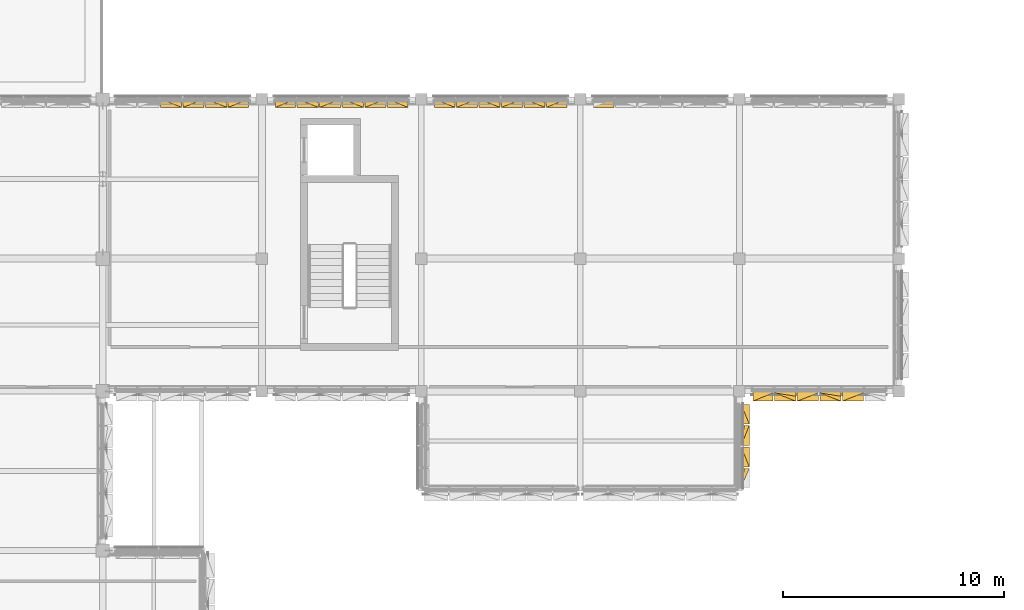
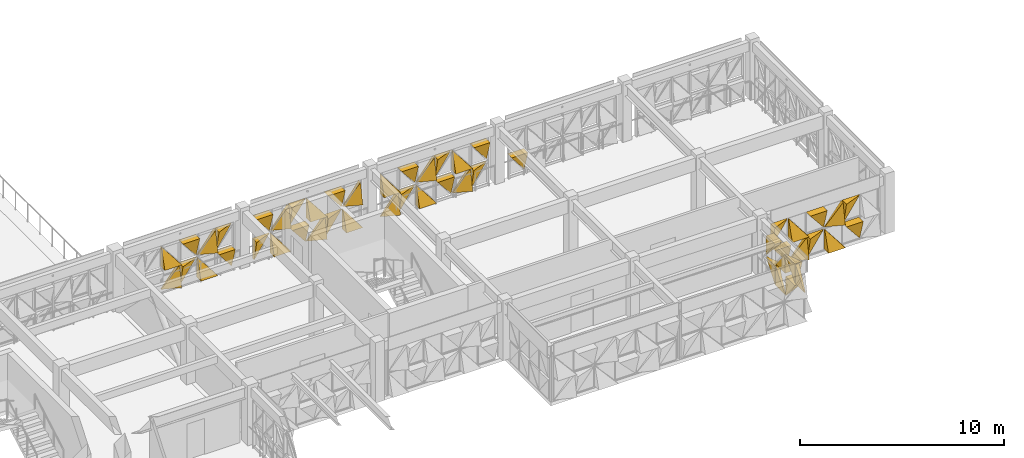
# One storey, part 93 of 99: 50 coverings.
"""IFC4 building model written with IfcOpenShell, lengths in metres."""

import ifcopenshell
import ifcopenshell.guid

model = None  # the IFC model being written
_history = None  # IfcOwnerHistory: only IFC2X3 demands one
_inside = {}  # id of a spatial element -> (the spatial element, [elements in it])
_under = {}  # id of a project, library or spatial element -> (it, [spatial elements below it])
_declared = {}  # id of a project -> (the project, [libraries it declares])
_typed = {}  # id of a type object -> (the type object, [elements of that type])
_made_of = {}  # id of a material, layer set ... -> (it, [elements and type objects made of it])


def new_model(schema):
    """Start an empty IFC model of exactly this schema.

    Asked for "IFC4X3", IfcOpenShell would pick the latest addendum, in which some entities
    have other attributes; the version numbers below select the first issue.
    IFC2X3 requires an IfcOwnerHistory on every rooted entity: one is made here for all.
    """
    global model, _history
    if schema == "IFC4X3":
        model = ifcopenshell.file(schema_version=(4, 3, 0, 0))
    else:
        model = ifcopenshell.file(schema=schema)
    _inside.clear()
    _under.clear()
    _declared.clear()
    _typed.clear()
    _made_of.clear()
    _history = None
    if model.schema == "IFC2X3":
        org = make("IfcOrganization", Name="unknown")
        user = make(
            "IfcPersonAndOrganization",
            ThePerson=make("IfcPerson", FamilyName="unknown"),
            TheOrganization=org,
        )
        app = make(
            "IfcApplication",
            ApplicationDeveloper=org,
            Version="unknown",
            ApplicationFullName="unknown",
            ApplicationIdentifier="unknown",
        )
        _history = make(
            "IfcOwnerHistory",
            OwningUser=user,
            OwningApplication=app,
            ChangeAction="ADDED",
            CreationDate=0,
        )
    return model


def make(cls, **values):
    """One entity of the class cls with the attributes given. An attribute that is None is left unset."""
    return model.create_entity(
        cls, **{name: value for name, value in values.items() if value is not None}
    )


def rooted(cls, **values):
    """An entity with a GlobalId (a new one), such as an element, a storey or a relation."""
    return make(cls, GlobalId=ifcopenshell.guid.new(), OwnerHistory=_history, **values)


def si_unit(unit_type, name, prefix=None):
    """IfcSIUnit, for example si_unit("LENGTHUNIT", "METRE", prefix="MILLI")."""
    return make("IfcSIUnit", UnitType=unit_type, Prefix=prefix, Name=name)


def assignment(units):
    """IfcUnitAssignment: the units of a project."""
    return None if units is None else make("IfcUnitAssignment", Units=units)


def point(xyz):
    """IfcCartesianPoint."""
    return None if xyz is None else make("IfcCartesianPoint", Coordinates=xyz)


def direction(xyz):
    """IfcDirection."""
    return None if xyz is None else make("IfcDirection", DirectionRatios=xyz)


def frame(location, z_axis=None, x_axis=None):
    """IfcAxis2Placement3D, a coordinate frame: its origin and axes. An axis left out is left unset."""
    return make(
        "IfcAxis2Placement3D",
        Location=point(location),
        Axis=direction(z_axis),
        RefDirection=direction(x_axis),
    )


def origin():
    """The frame at (0, 0, 0) with its axes left unset."""
    return frame((0.0, 0.0, 0.0))


def place(relative_to, where):
    """IfcLocalPlacement: puts the frame where relative to a parent placement (None: the world)."""
    return make(
        "IfcLocalPlacement", PlacementRelTo=relative_to, RelativePlacement=where
    )


def context(
    kind, dimensions, precision=None, world=None, true_north=None, identifier=None
):
    """IfcGeometricRepresentationContext, for example the 3D "Model" context."""
    return make(
        "IfcGeometricRepresentationContext",
        ContextIdentifier=identifier,
        ContextType=kind,
        CoordinateSpaceDimension=dimensions,
        Precision=precision,
        WorldCoordinateSystem=world,
        TrueNorth=true_north,
    )


def subcontext(parent, identifier, kind, view, scale=None):
    """IfcGeometricRepresentationSubContext, for example "Body" below "Model"."""
    return make(
        "IfcGeometricRepresentationSubContext",
        ContextIdentifier=identifier,
        ContextType=kind,
        ParentContext=parent,
        TargetScale=scale,
        TargetView=view,
    )


def project(units=None, contexts=None):
    """IfcProject with its units and contexts."""
    return rooted(
        "IfcProject",
        Name="project",
        RepresentationContexts=contexts,
        UnitsInContext=assignment(units),
    )


def spatial(cls, under=None, at=None, **own):
    """A site, building, storey or space (cls), placed at a placement, below another one or the project."""
    s = rooted(cls, ObjectPlacement=at, **own)
    if under is not None:
        _under.setdefault(under.id(), (under, []))[1].append(s)
    return s


def point_list(points):
    """IfcCartesianPointList2D or 3D."""
    cls = (
        "IfcCartesianPointList2D" if len(points[0]) == 2 else "IfcCartesianPointList3D"
    )
    return make(cls, CoordList=points)


def polygons(points, faces, closed=None, point_numbers=None):
    """IfcPolygonalFaceSet: a face is its outer loop, then its inner loops; points numbered from 1."""
    made = []
    for loops in faces:
        if len(loops) == 1:
            made.append(make("IfcIndexedPolygonalFace", CoordIndex=loops[0]))
        else:
            made.append(
                make(
                    "IfcIndexedPolygonalFaceWithVoids",
                    CoordIndex=loops[0],
                    InnerCoordIndices=loops[1:],
                )
            )
    return make(
        "IfcPolygonalFaceSet",
        Coordinates=point_list(points),
        Closed=closed,
        Faces=made,
        PnIndex=point_numbers,
    )


def shape(context_of_items, identifier, shape_type, items):
    """IfcShapeRepresentation: the items that make up one representation, for example the "Body"."""
    return make(
        "IfcShapeRepresentation",
        ContextOfItems=context_of_items,
        RepresentationIdentifier=identifier,
        RepresentationType=shape_type,
        Items=items,
    )


def material(Name=None, Category=None):
    """IfcMaterial."""
    return make("IfcMaterial", Name=Name, Category=Category)


def layer(
    of_material, thickness, ventilated=None, Name=None, Category=None, Priority=None
):
    """IfcMaterialLayer: one layer of a wall or slab, of a material (None: an air gap)."""
    return make(
        "IfcMaterialLayer",
        Material=of_material,
        LayerThickness=thickness,
        IsVentilated=ventilated,
        Name=Name,
        Category=Category,
        Priority=Priority,
    )


def layer_set(layers, Name=None):
    """IfcMaterialLayerSet."""
    return make("IfcMaterialLayerSet", MaterialLayers=layers, LayerSetName=Name)


def made_of(thing, what):
    """Note that an element or type object is made of a material, layer set ...; save() writes the relation."""
    if what is not None:
        _made_of.setdefault(what.id(), (what, []))[1].append(thing)
    return thing


def type_object(cls, material=None, **own):
    """A type object (cls), such as IfcWallType, which elements share."""
    return made_of(rooted(cls, **own), material)


def element(
    cls,
    number,
    at=None,
    inside=None,
    cuts=None,
    type_object=None,
    material=None,
    context=None,
    identifier="Body",
    shape_type=None,
    held_by="IfcProductDefinitionShape",
    body=None,
    shapes=None,
    **own,
):
    """One element of the class cls, such as IfcWall. Its Tag is "e" and its number.

    at: its placement. inside: the storey or other place that contains it. cuts: it is an
    opening in that element (IfcRelVoidsElement). A single representation is given by context,
    identifier, shape_type and body (its items); several are given by shapes. held_by: the class
    of the entity that holds the representations. save() writes the other relations.
    """
    e = rooted(cls, Tag="e%d" % number, ObjectPlacement=at, **own)
    if body is not None:
        shapes = [shape(context, identifier, shape_type, body)]
    if shapes is not None:
        e.Representation = make(held_by, Representations=shapes)
    if inside is not None:
        _inside.setdefault(inside.id(), (inside, []))[1].append(e)
    if cuts is not None:
        rooted(
            "IfcRelVoidsElement", RelatingBuildingElement=cuts, RelatedOpeningElement=e
        )
    if type_object is not None:
        _typed.setdefault(type_object.id(), (type_object, []))[1].append(e)
    return made_of(e, material)


def aggregate(whole, parts):
    """IfcRelAggregates: a whole, such as a stair, and the parts it consists of."""
    return rooted("IfcRelAggregates", RelatingObject=whole, RelatedObjects=parts)


def save(model, path):
    """Write the relations noted so far, then the file.

    IfcRelAggregates (storeys below a building ...), IfcRelContainedInSpatialStructure (elements
    in a storey), IfcRelDefinesByType, IfcRelAssociatesMaterial and IfcRelDeclares: one each for
    every whole, place, type object, material and project.
    """
    for whole, parts in _under.values():
        aggregate(whole, parts)
    for where, things in _inside.values():
        rooted(
            "IfcRelContainedInSpatialStructure",
            RelatedElements=things,
            RelatingStructure=where,
        )
    for kind, things in _typed.values():
        rooted("IfcRelDefinesByType", RelatedObjects=things, RelatingType=kind)
    for what, things in _made_of.values():
        rooted("IfcRelAssociatesMaterial", RelatedObjects=things, RelatingMaterial=what)
    for by, libraries in _declared.values():
        rooted("IfcRelDeclares", RelatingContext=by, RelatedDefinitions=libraries)
    model.write(path)


model = new_model("IFC4")

# Units and contexts
model_context = context("Model", 3, precision=1e-05, world=origin(), true_north=direction((0.0, 1.0)))
body_context = subcontext(model_context, "Body", "Model", "MODEL_VIEW")
ifc_project = project(units=[si_unit("LENGTHUNIT", "METRE"), si_unit("AREAUNIT", "SQUARE_METRE"), si_unit("VOLUMEUNIT", "CUBIC_METRE"), si_unit("PLANEANGLEUNIT", "RADIAN"), si_unit("MASSUNIT", "GRAM", prefix="KILO")], contexts=[model_context])

# Site, building, storey
site_placement = place(None, origin())
site = spatial("IfcSite", under=ifc_project, at=site_placement, CompositionType="ELEMENT")
building_placement = place(site_placement, origin())
building = spatial("IfcBuilding", under=site, at=building_placement, Name="Alvorim Cloister Faculty of Sciences", CompositionType="ELEMENT")
storey_placement = place(building_placement, frame((0.0, 0.0, 12.14990234375)))
storey = spatial("IfcBuildingStorey", under=building, at=storey_placement, Name="L03", CompositionType="ELEMENT", Elevation=12.14990234375)

# Coverings
ifc_material = material(Name="Perforated Bronze Alloy Sheet", Category="metal")
ifc_layer = layer(ifc_material, 0.0380859375)
ifc_layer_set = layer_set([ifc_layer], Name="Perforated Bronze Alloy Sheet")
covering_type = type_object("IfcCoveringType", Name="COV-TRI-BRZ", PredefinedType="CLADDING", material=ifc_layer_set)
covering_1_placement = place(storey_placement, frame((31.41259765625, 56.445068359375, 0.14013671875), z_axis=(0.0, 0.0, 1.0), x_axis=(1.0, 0.0, 0.0)))
element("IfcCovering", 1, at=covering_1_placement, inside=storey, type_object=covering_type, Name="Diagonal Solid Metal Triangle TRI-BR", PredefinedType="CLADDING", context=body_context, shape_type="Tessellation", body=[
    polygons([(0.002, 0.0260009765625, 0.0), (0.955078125, 0.0260009765625, 0.0), (0.955078125, 0.0260009765625, 1.21284375), (0.002, -0.03, 0.0), (0.955078125, -0.4, 0.0), (0.955078125, -0.18000000000000002, 1.21284375)], [[[1, 3, 2]], [[4, 5, 6]], [[1, 2, 5, 4]], [[2, 3, 6, 5]], [[3, 1, 4, 6]]], closed=True),
])
covering_2_placement = place(storey_placement, frame((31.41259765625, 56.445068359375, 1.4951171875), z_axis=(0.0, 0.0, 1.0), x_axis=(1.0, 0.0, 0.0)))
element("IfcCovering", 2, at=covering_2_placement, inside=storey, type_object=covering_type, Name="Diagonal Solid Metal Triangle TRI-BL", PredefinedType="CLADDING", context=body_context, shape_type="Tessellation", body=[
    polygons([(0.0, 0.0260009765625, 0.0), (0.953078125, 0.0260009765625, 0.0), (0.0, 0.0260009765625, 1.213087890625), (0.0, -0.4, 0.0), (0.953078125, -0.4, 0.0), (0.0, -0.03, 1.213087890625)], [[[1, 3, 2]], [[4, 5, 6]], [[1, 2, 5, 4]], [[2, 3, 6, 5]], [[3, 1, 4, 6]]], closed=True),
])
covering_3_placement = place(storey_placement, frame((32.4326171875, 56.445068359375, 0.14013671875), z_axis=(0.0, 0.0, 1.0), x_axis=(1.0, 0.0, 0.0)))
element("IfcCovering", 3, at=covering_3_placement, inside=storey, type_object=covering_type, Name="Diagonal Solid Metal Triangle TRI-TL", PredefinedType="CLADDING", context=body_context, shape_type="Tessellation", body=[
    polygons([(0.953078125, 0.0260009765625, 1.21484375), (0.0, 0.0260009765625, 1.21484375), (0.0, 0.0260009765625, 0.002), (0.953078125, -0.03, 1.21484375), (0.0, -0.4, 1.21484375), (0.0, -0.13999999999999999, 0.002)], [[[1, 3, 2]], [[4, 5, 6]], [[1, 2, 5, 4]], [[2, 3, 6, 5]], [[3, 1, 4, 6]]], closed=True),
])
covering_4_placement = place(storey_placement, frame((32.4326171875, 56.445068359375, 1.4951171875), z_axis=(0.0, 0.0, 1.0), x_axis=(1.0, 0.0, 0.0)))
element("IfcCovering", 4, at=covering_4_placement, inside=storey, type_object=covering_type, Name="Diagonal Solid Metal Triangle TRI-TR", PredefinedType="CLADDING", context=body_context, shape_type="Tessellation", body=[
    polygons([(0.955078125, 0.0260009765625, 0.002), (0.955078125, 0.0260009765625, 1.215087890625), (0.002, 0.0260009765625, 1.215087890625), (0.955078125, -0.03, 0.002), (0.955078125, -0.4, 1.215087890625), (0.002, -0.4, 1.215087890625)], [[[1, 3, 2]], [[4, 5, 6]], [[1, 2, 5, 4]], [[2, 3, 6, 5]], [[3, 1, 4, 6]]], closed=True),
])
covering_5_placement = place(storey_placement, frame((33.452392578125, 56.445068359375, 0.14013671875), z_axis=(0.0, 0.0, 1.0), x_axis=(1.0, 0.0, 0.0)))
element("IfcCovering", 5, at=covering_5_placement, inside=storey, type_object=covering_type, Name="Diagonal Solid Metal Triangle TRI-BL", PredefinedType="CLADDING", context=body_context, shape_type="Tessellation", body=[
    polygons([(0.0, 0.0260009765625, 0.0), (0.953078125, 0.0260009765625, 0.0), (0.0, 0.0260009765625, 1.21284375), (0.0, -0.4, 0.0), (0.953078125, -0.4, 0.0), (0.0, -0.03, 1.21284375)], [[[1, 3, 2]], [[4, 5, 6]], [[1, 2, 5, 4]], [[2, 3, 6, 5]], [[3, 1, 4, 6]]], closed=True),
])
covering_6_placement = place(storey_placement, frame((33.452392578125, 56.445068359375, 1.4951171875), z_axis=(0.0, 0.0, 1.0), x_axis=(1.0, 0.0, 0.0)))
element("IfcCovering", 6, at=covering_6_placement, inside=storey, type_object=covering_type, Name="Diagonal Solid Metal Triangle TRI-BR", PredefinedType="CLADDING", context=body_context, shape_type="Tessellation", body=[
    polygons([(0.002, 0.0260009765625, 0.0), (0.955078125, 0.0260009765625, 0.0), (0.955078125, 0.0260009765625, 1.213087890625), (0.002, -0.03, 0.0), (0.955078125, -0.4, 0.0), (0.955078125, -0.18000000000000002, 1.213087890625)], [[[1, 3, 2]], [[4, 5, 6]], [[1, 2, 5, 4]], [[2, 3, 6, 5]], [[3, 1, 4, 6]]], closed=True),
])
covering_7_placement = place(storey_placement, frame((34.472412109375, 56.445068359375, 0.14013671875), z_axis=(0.0, 0.0, 1.0), x_axis=(1.0, 0.0, 0.0)))
element("IfcCovering", 7, at=covering_7_placement, inside=storey, type_object=covering_type, Name="Diagonal Solid Metal Triangle TRI-TR", PredefinedType="CLADDING", context=body_context, shape_type="Tessellation", body=[
    polygons([(0.922607421875, 0.0260009765625, 0.002), (0.922607421875, 0.0260009765625, 1.21484375), (0.002, 0.0260009765625, 1.21484375), (0.922607421875, -0.03, 0.002), (0.922607421875, -0.4, 1.21484375), (0.002, -0.4, 1.21484375)], [[[1, 3, 2]], [[4, 5, 6]], [[1, 2, 5, 4]], [[2, 3, 6, 5]], [[3, 1, 4, 6]]], closed=True),
])
covering_8_placement = place(storey_placement, frame((34.472412109375, 56.445068359375, 1.4951171875), z_axis=(0.0, 0.0, 1.0), x_axis=(1.0, 0.0, 0.0)))
element("IfcCovering", 8, at=covering_8_placement, inside=storey, type_object=covering_type, Name="Diagonal Solid Metal Triangle TRI-TL", PredefinedType="CLADDING", context=body_context, shape_type="Tessellation", body=[
    polygons([(0.920607421875, 0.0260009765625, 1.215087890625), (0.0, 0.0260009765625, 1.215087890625), (0.0, 0.0260009765625, 0.002), (0.920607421875, -0.03, 1.215087890625), (0.0, -0.4, 1.215087890625), (0.0, -0.13999999999999999, 0.002)], [[[1, 3, 2]], [[4, 5, 6]], [[1, 2, 5, 4]], [[2, 3, 6, 5]], [[3, 1, 4, 6]]], closed=True),
])
covering_9_placement = place(storey_placement, frame((36.60498046875, 56.445068359375, 0.14013671875), z_axis=(0.0, 0.0, 1.0), x_axis=(1.0, 0.0, 0.0)))
element("IfcCovering", 9, at=covering_9_placement, inside=storey, type_object=covering_type, Name="Diagonal Solid Metal Triangle TRI-TL", PredefinedType="CLADDING", context=body_context, shape_type="Tessellation", body=[
    polygons([(0.920607421875, 0.0260009765625, 1.21484375), (0.0, 0.0260009765625, 1.21484375), (0.0, 0.0260009765625, 0.002), (0.920607421875, -0.03, 1.21484375), (0.0, -0.4, 1.21484375), (0.0, -0.13999999999999999, 0.002)], [[[1, 3, 2]], [[4, 5, 6]], [[1, 2, 5, 4]], [[2, 3, 6, 5]], [[3, 1, 4, 6]]], closed=True),
])
covering_10_placement = place(storey_placement, frame((36.60498046875, 56.445068359375, 1.4951171875), z_axis=(0.0, 0.0, 1.0), x_axis=(1.0, 0.0, 0.0)))
element("IfcCovering", 10, at=covering_10_placement, inside=storey, type_object=covering_type, Name="Diagonal Solid Metal Triangle TRI-TR", PredefinedType="CLADDING", context=body_context, shape_type="Tessellation", body=[
    polygons([(0.922607421875, 0.0260009765625, 0.002), (0.922607421875, 0.0260009765625, 1.215087890625), (0.002, 0.0260009765625, 1.215087890625), (0.922607421875, -0.03, 0.002), (0.922607421875, -0.4, 1.215087890625), (0.002, -0.4, 1.215087890625)], [[[1, 3, 2]], [[4, 5, 6]], [[1, 2, 5, 4]], [[2, 3, 6, 5]], [[3, 1, 4, 6]]], closed=True),
])
covering_11_placement = place(storey_placement, frame((37.592529296875, 56.445068359375, 0.14013671875), z_axis=(0.0, 0.0, 1.0), x_axis=(1.0, 0.0, 0.0)))
element("IfcCovering", 11, at=covering_11_placement, inside=storey, type_object=covering_type, Name="Diagonal Solid Metal Triangle TRI-BL", PredefinedType="CLADDING", context=body_context, shape_type="Tessellation", body=[
    polygons([(0.0, 0.0260009765625, 0.0), (0.953078125, 0.0260009765625, 0.0), (0.0, 0.0260009765625, 1.21284375), (0.0, -0.4, 0.0), (0.953078125, -0.4, 0.0), (0.0, -0.03, 1.21284375)], [[[1, 3, 2]], [[4, 5, 6]], [[1, 2, 5, 4]], [[2, 3, 6, 5]], [[3, 1, 4, 6]]], closed=True),
])
covering_12_placement = place(storey_placement, frame((37.592529296875, 56.445068359375, 1.4951171875), z_axis=(0.0, 0.0, 1.0), x_axis=(1.0, 0.0, 0.0)))
element("IfcCovering", 12, at=covering_12_placement, inside=storey, type_object=covering_type, Name="Diagonal Solid Metal Triangle TRI-BR", PredefinedType="CLADDING", context=body_context, shape_type="Tessellation", body=[
    polygons([(0.002, 0.0260009765625, 0.0), (0.955078125, 0.0260009765625, 0.0), (0.955078125, 0.0260009765625, 1.213087890625), (0.002, -0.03, 0.0), (0.955078125, -0.4, 0.0), (0.955078125, -0.18000000000000002, 1.213087890625)], [[[1, 3, 2]], [[4, 5, 6]], [[1, 2, 5, 4]], [[2, 3, 6, 5]], [[3, 1, 4, 6]]], closed=True),
])
covering_13_placement = place(storey_placement, frame((38.612548828125, 56.445068359375, 0.14013671875), z_axis=(0.0, 0.0, 1.0), x_axis=(1.0, 0.0, 0.0)))
element("IfcCovering", 13, at=covering_13_placement, inside=storey, type_object=covering_type, Name="Diagonal Solid Metal Triangle TRI-TR", PredefinedType="CLADDING", context=body_context, shape_type="Tessellation", body=[
    polygons([(0.955078125, 0.0260009765625, 0.002), (0.955078125, 0.0260009765625, 1.21484375), (0.002, 0.0260009765625, 1.21484375), (0.955078125, -0.03, 0.002), (0.955078125, -0.4, 1.21484375), (0.002, -0.4, 1.21484375)], [[[1, 3, 2]], [[4, 5, 6]], [[1, 2, 5, 4]], [[2, 3, 6, 5]], [[3, 1, 4, 6]]], closed=True),
])
covering_14_placement = place(storey_placement, frame((38.612548828125, 56.445068359375, 1.4951171875), z_axis=(0.0, 0.0, 1.0), x_axis=(1.0, 0.0, 0.0)))
element("IfcCovering", 14, at=covering_14_placement, inside=storey, type_object=covering_type, Name="Diagonal Solid Metal Triangle TRI-TL", PredefinedType="CLADDING", context=body_context, shape_type="Tessellation", body=[
    polygons([(0.953078125, 0.0260009765625, 1.215087890625), (0.0, 0.0260009765625, 1.215087890625), (0.0, 0.0260009765625, 0.002), (0.953078125, -0.03, 1.215087890625), (0.0, -0.4, 1.215087890625), (0.0, -0.13999999999999999, 0.002)], [[[1, 3, 2]], [[4, 5, 6]], [[1, 2, 5, 4]], [[2, 3, 6, 5]], [[3, 1, 4, 6]]], closed=True),
])
covering_15_placement = place(storey_placement, frame((39.632568359375, 56.445068359375, 0.14013671875), z_axis=(0.0, 0.0, 1.0), x_axis=(1.0, 0.0, 0.0)))
element("IfcCovering", 15, at=covering_15_placement, inside=storey, type_object=covering_type, Name="Diagonal Solid Metal Triangle TRI-BR", PredefinedType="CLADDING", context=body_context, shape_type="Tessellation", body=[
    polygons([(0.002, 0.0260009765625, 0.0), (0.955078125, 0.0260009765625, 0.0), (0.955078125, 0.0260009765625, 1.21284375), (0.002, -0.03, 0.0), (0.955078125, -0.4, 0.0), (0.955078125, -0.18000000000000002, 1.21284375)], [[[1, 3, 2]], [[4, 5, 6]], [[1, 2, 5, 4]], [[2, 3, 6, 5]], [[3, 1, 4, 6]]], closed=True),
])
covering_16_placement = place(storey_placement, frame((39.632568359375, 56.445068359375, 1.4951171875), z_axis=(0.0, 0.0, 1.0), x_axis=(1.0, 0.0, 0.0)))
element("IfcCovering", 16, at=covering_16_placement, inside=storey, type_object=covering_type, Name="Diagonal Solid Metal Triangle TRI-BL", PredefinedType="CLADDING", context=body_context, shape_type="Tessellation", body=[
    polygons([(0.0, 0.0260009765625, 0.0), (0.953078125, 0.0260009765625, 0.0), (0.0, 0.0260009765625, 1.213087890625), (0.0, -0.4, 0.0), (0.953078125, -0.4, 0.0), (0.0, -0.03, 1.213087890625)], [[[1, 3, 2]], [[4, 5, 6]], [[1, 2, 5, 4]], [[2, 3, 6, 5]], [[3, 1, 4, 6]]], closed=True),
])
covering_17_placement = place(storey_placement, frame((40.652587890625, 56.445068359375, 0.14013671875), z_axis=(0.0, 0.0, 1.0), x_axis=(1.0, 0.0, 0.0)))
element("IfcCovering", 17, at=covering_17_placement, inside=storey, type_object=covering_type, Name="Diagonal Solid Metal Triangle TRI-TL", PredefinedType="CLADDING", context=body_context, shape_type="Tessellation", body=[
    polygons([(0.953078125, 0.0260009765625, 1.21484375), (0.0, 0.0260009765625, 1.21484375), (0.0, 0.0260009765625, 0.002), (0.953078125, -0.03, 1.21484375), (0.0, -0.4, 1.21484375), (0.0, -0.13999999999999999, 0.002)], [[[1, 3, 2]], [[4, 5, 6]], [[1, 2, 5, 4]], [[2, 3, 6, 5]], [[3, 1, 4, 6]]], closed=True),
])
covering_18_placement = place(storey_placement, frame((40.652587890625, 56.445068359375, 1.4951171875), z_axis=(0.0, 0.0, 1.0), x_axis=(1.0, 0.0, 0.0)))
element("IfcCovering", 18, at=covering_18_placement, inside=storey, type_object=covering_type, Name="Diagonal Solid Metal Triangle TRI-TR", PredefinedType="CLADDING", context=body_context, shape_type="Tessellation", body=[
    polygons([(0.955078125, 0.0260009765625, 0.002), (0.955078125, 0.0260009765625, 1.215087890625), (0.002, 0.0260009765625, 1.215087890625), (0.955078125, -0.03, 0.002), (0.955078125, -0.4, 1.215087890625), (0.002, -0.4, 1.215087890625)], [[[1, 3, 2]], [[4, 5, 6]], [[1, 2, 5, 4]], [[2, 3, 6, 5]], [[3, 1, 4, 6]]], closed=True),
])
covering_19_placement = place(storey_placement, frame((41.672607421875, 56.445068359375, 0.14013671875), z_axis=(0.0, 0.0, 1.0), x_axis=(1.0, 0.0, 0.0)))
element("IfcCovering", 19, at=covering_19_placement, inside=storey, type_object=covering_type, Name="Diagonal Solid Metal Triangle TRI-BL", PredefinedType="CLADDING", context=body_context, shape_type="Tessellation", body=[
    polygons([(0.0, 0.0260009765625, 0.0), (0.920607421875, 0.0260009765625, 0.0), (0.0, 0.0260009765625, 1.21284375), (0.0, -0.4, 0.0), (0.920607421875, -0.4, 0.0), (0.0, -0.03, 1.21284375)], [[[1, 3, 2]], [[4, 5, 6]], [[1, 2, 5, 4]], [[2, 3, 6, 5]], [[3, 1, 4, 6]]], closed=True),
])
covering_20_placement = place(storey_placement, frame((41.672607421875, 56.445068359375, 1.4951171875), z_axis=(0.0, 0.0, 1.0), x_axis=(1.0, 0.0, 0.0)))
element("IfcCovering", 20, at=covering_20_placement, inside=storey, type_object=covering_type, Name="Diagonal Solid Metal Triangle TRI-BR", PredefinedType="CLADDING", context=body_context, shape_type="Tessellation", body=[
    polygons([(0.002, 0.0260009765625, 0.0), (0.922607421875, 0.0260009765625, 0.0), (0.922607421875, 0.0260009765625, 1.213087890625), (0.002, -0.03, 0.0), (0.922607421875, -0.4, 0.0), (0.922607421875, -0.18000000000000002, 1.213087890625)], [[[1, 3, 2]], [[4, 5, 6]], [[1, 2, 5, 4]], [[2, 3, 6, 5]], [[3, 1, 4, 6]]], closed=True),
])
covering_21_placement = place(storey_placement, frame((43.804931640625, 56.445068359375, 0.14013671875), z_axis=(0.0, 0.0, 1.0), x_axis=(1.0, 0.0, 0.0)))
element("IfcCovering", 21, at=covering_21_placement, inside=storey, type_object=covering_type, Name="Diagonal Solid Metal Triangle TRI-BR", PredefinedType="CLADDING", context=body_context, shape_type="Tessellation", body=[
    polygons([(0.002, 0.0260009765625, 0.0), (0.922607421875, 0.0260009765625, 0.0), (0.922607421875, 0.0260009765625, 1.21284375), (0.002, -0.03, 0.0), (0.922607421875, -0.4, 0.0), (0.922607421875, -0.18000000000000002, 1.21284375)], [[[1, 3, 2]], [[4, 5, 6]], [[1, 2, 5, 4]], [[2, 3, 6, 5]], [[3, 1, 4, 6]]], closed=True),
])
covering_22_placement = place(storey_placement, frame((43.804931640625, 56.445068359375, 1.4951171875), z_axis=(0.0, 0.0, 1.0), x_axis=(1.0, 0.0, 0.0)))
element("IfcCovering", 22, at=covering_22_placement, inside=storey, type_object=covering_type, Name="Diagonal Solid Metal Triangle TRI-BL", PredefinedType="CLADDING", context=body_context, shape_type="Tessellation", body=[
    polygons([(0.0, 0.0260009765625, 0.0), (0.920607421875, 0.0260009765625, 0.0), (0.0, 0.0260009765625, 1.213087890625), (0.0, -0.4, 0.0), (0.920607421875, -0.4, 0.0), (0.0, -0.03, 1.213087890625)], [[[1, 3, 2]], [[4, 5, 6]], [[1, 2, 5, 4]], [[2, 3, 6, 5]], [[3, 1, 4, 6]]], closed=True),
])
covering_23_placement = place(storey_placement, frame((44.79248046875, 56.445068359375, 0.14013671875), z_axis=(0.0, 0.0, 1.0), x_axis=(1.0, 0.0, 0.0)))
element("IfcCovering", 23, at=covering_23_placement, inside=storey, type_object=covering_type, Name="Diagonal Solid Metal Triangle TRI-TL", PredefinedType="CLADDING", context=body_context, shape_type="Tessellation", body=[
    polygons([(0.953078125, 0.0260009765625, 1.21484375), (0.0, 0.0260009765625, 1.21484375), (0.0, 0.0260009765625, 0.002), (0.953078125, -0.03, 1.21484375), (0.0, -0.4, 1.21484375), (0.0, -0.13999999999999999, 0.002)], [[[1, 3, 2]], [[4, 5, 6]], [[1, 2, 5, 4]], [[2, 3, 6, 5]], [[3, 1, 4, 6]]], closed=True),
])
covering_24_placement = place(storey_placement, frame((44.79248046875, 56.445068359375, 1.4951171875), z_axis=(0.0, 0.0, 1.0), x_axis=(1.0, 0.0, 0.0)))
element("IfcCovering", 24, at=covering_24_placement, inside=storey, type_object=covering_type, Name="Diagonal Solid Metal Triangle TRI-TR", PredefinedType="CLADDING", context=body_context, shape_type="Tessellation", body=[
    polygons([(0.955078125, 0.0260009765625, 0.002), (0.955078125, 0.0260009765625, 1.215087890625), (0.002, 0.0260009765625, 1.215087890625), (0.955078125, -0.03, 0.002), (0.955078125, -0.4, 1.215087890625), (0.002, -0.4, 1.215087890625)], [[[1, 3, 2]], [[4, 5, 6]], [[1, 2, 5, 4]], [[2, 3, 6, 5]], [[3, 1, 4, 6]]], closed=True),
])
covering_25_placement = place(storey_placement, frame((45.8125, 56.445068359375, 0.14013671875), z_axis=(0.0, 0.0, 1.0), x_axis=(1.0, 0.0, 0.0)))
element("IfcCovering", 25, at=covering_25_placement, inside=storey, type_object=covering_type, Name="Diagonal Solid Metal Triangle TRI-BL", PredefinedType="CLADDING", context=body_context, shape_type="Tessellation", body=[
    polygons([(0.0, 0.0260009765625, 0.0), (0.953078125, 0.0260009765625, 0.0), (0.0, 0.0260009765625, 1.21284375), (0.0, -0.4, 0.0), (0.953078125, -0.4, 0.0), (0.0, -0.03, 1.21284375)], [[[1, 3, 2]], [[4, 5, 6]], [[1, 2, 5, 4]], [[2, 3, 6, 5]], [[3, 1, 4, 6]]], closed=True),
])
covering_26_placement = place(storey_placement, frame((45.8125, 56.445068359375, 1.4951171875), z_axis=(0.0, 0.0, 1.0), x_axis=(1.0, 0.0, 0.0)))
element("IfcCovering", 26, at=covering_26_placement, inside=storey, type_object=covering_type, Name="Diagonal Solid Metal Triangle TRI-BR", PredefinedType="CLADDING", context=body_context, shape_type="Tessellation", body=[
    polygons([(0.002, 0.0260009765625, 0.0), (0.955078125, 0.0260009765625, 0.0), (0.955078125, 0.0260009765625, 1.213087890625), (0.002, -0.03, 0.0), (0.955078125, -0.4, 0.0), (0.955078125, -0.18000000000000002, 1.213087890625)], [[[1, 3, 2]], [[4, 5, 6]], [[1, 2, 5, 4]], [[2, 3, 6, 5]], [[3, 1, 4, 6]]], closed=True),
])
covering_27_placement = place(storey_placement, frame((46.83251953125, 56.445068359375, 0.14013671875), z_axis=(0.0, 0.0, 1.0), x_axis=(1.0, 0.0, 0.0)))
element("IfcCovering", 27, at=covering_27_placement, inside=storey, type_object=covering_type, Name="Diagonal Solid Metal Triangle TRI-TR", PredefinedType="CLADDING", context=body_context, shape_type="Tessellation", body=[
    polygons([(0.955078125, 0.0260009765625, 0.002), (0.955078125, 0.0260009765625, 1.21484375), (0.002, 0.0260009765625, 1.21484375), (0.955078125, -0.03, 0.002), (0.955078125, -0.4, 1.21484375), (0.002, -0.4, 1.21484375)], [[[1, 3, 2]], [[4, 5, 6]], [[1, 2, 5, 4]], [[2, 3, 6, 5]], [[3, 1, 4, 6]]], closed=True),
])
covering_28_placement = place(storey_placement, frame((46.83251953125, 56.445068359375, 1.4951171875), z_axis=(0.0, 0.0, 1.0), x_axis=(1.0, 0.0, 0.0)))
element("IfcCovering", 28, at=covering_28_placement, inside=storey, type_object=covering_type, Name="Diagonal Solid Metal Triangle TRI-TL", PredefinedType="CLADDING", context=body_context, shape_type="Tessellation", body=[
    polygons([(0.953078125, 0.0260009765625, 1.215087890625), (0.0, 0.0260009765625, 1.215087890625), (0.0, 0.0260009765625, 0.002), (0.953078125, -0.03, 1.215087890625), (0.0, -0.4, 1.215087890625), (0.0, -0.13999999999999999, 0.002)], [[[1, 3, 2]], [[4, 5, 6]], [[1, 2, 5, 4]], [[2, 3, 6, 5]], [[3, 1, 4, 6]]], closed=True),
])
covering_29_placement = place(storey_placement, frame((47.8525390625, 56.445068359375, 0.14013671875), z_axis=(0.0, 0.0, 1.0), x_axis=(1.0, 0.0, 0.0)))
element("IfcCovering", 29, at=covering_29_placement, inside=storey, type_object=covering_type, Name="Diagonal Solid Metal Triangle TRI-BR", PredefinedType="CLADDING", context=body_context, shape_type="Tessellation", body=[
    polygons([(0.002, 0.0260009765625, 0.0), (0.955078125, 0.0260009765625, 0.0), (0.955078125, 0.0260009765625, 1.21284375), (0.002, -0.03, 0.0), (0.955078125, -0.4, 0.0), (0.955078125, -0.18000000000000002, 1.21284375)], [[[1, 3, 2]], [[4, 5, 6]], [[1, 2, 5, 4]], [[2, 3, 6, 5]], [[3, 1, 4, 6]]], closed=True),
])
covering_30_placement = place(storey_placement, frame((47.8525390625, 56.445068359375, 1.4951171875), z_axis=(0.0, 0.0, 1.0), x_axis=(1.0, 0.0, 0.0)))
element("IfcCovering", 30, at=covering_30_placement, inside=storey, type_object=covering_type, Name="Diagonal Solid Metal Triangle TRI-BL", PredefinedType="CLADDING", context=body_context, shape_type="Tessellation", body=[
    polygons([(0.0, 0.0260009765625, 0.0), (0.953078125, 0.0260009765625, 0.0), (0.0, 0.0260009765625, 1.213087890625), (0.0, -0.4, 0.0), (0.953078125, -0.4, 0.0), (0.0, -0.03, 1.213087890625)], [[[1, 3, 2]], [[4, 5, 6]], [[1, 2, 5, 4]], [[2, 3, 6, 5]], [[3, 1, 4, 6]]], closed=True),
])
covering_31_placement = place(storey_placement, frame((48.87255859375, 56.445068359375, 0.14013671875), z_axis=(0.0, 0.0, 1.0), x_axis=(1.0, 0.0, 0.0)))
element("IfcCovering", 31, at=covering_31_placement, inside=storey, type_object=covering_type, Name="Diagonal Solid Metal Triangle TRI-TL", PredefinedType="CLADDING", context=body_context, shape_type="Tessellation", body=[
    polygons([(0.920607421875, 0.0260009765625, 1.21484375), (0.0, 0.0260009765625, 1.21484375), (0.0, 0.0260009765625, 0.002), (0.920607421875, -0.03, 1.21484375), (0.0, -0.4, 1.21484375), (0.0, -0.13999999999999999, 0.002)], [[[1, 3, 2]], [[4, 5, 6]], [[1, 2, 5, 4]], [[2, 3, 6, 5]], [[3, 1, 4, 6]]], closed=True),
])
covering_32_placement = place(storey_placement, frame((48.87255859375, 56.445068359375, 1.4951171875), z_axis=(0.0, 0.0, 1.0), x_axis=(1.0, 0.0, 0.0)))
element("IfcCovering", 32, at=covering_32_placement, inside=storey, type_object=covering_type, Name="Diagonal Solid Metal Triangle TRI-TR", PredefinedType="CLADDING", context=body_context, shape_type="Tessellation", body=[
    polygons([(0.922607421875, 0.0260009765625, 0.002), (0.922607421875, 0.0260009765625, 1.215087890625), (0.002, 0.0260009765625, 1.215087890625), (0.922607421875, -0.03, 0.002), (0.922607421875, -0.4, 1.215087890625), (0.002, -0.4, 1.215087890625)], [[[1, 3, 2]], [[4, 5, 6]], [[1, 2, 5, 4]], [[2, 3, 6, 5]], [[3, 1, 4, 6]]], closed=True),
])
for number, where, z_axis, x_axis, name in (
    (33, (51.0048828125, 56.445068359375, 0.14013671875), (0.0, 0.0, 1.0), (1.0, 0.0, 0.0), "Diagonal Solid Metal Triangle TRI-TR"),
    (34, (58.205078125, 43.155029296875, 0.14013671875), (0.0, 0.0, 1.0), (1.0, 0.0, 0.0), "Diagonal Solid Metal Triangle TRI-TR"),
):
    element("IfcCovering", number, at=place(storey_placement, frame(where, z_axis=z_axis, x_axis=x_axis)), inside=storey, type_object=covering_type, Name=name, PredefinedType="CLADDING", context=body_context, shape_type="Tessellation", body=[
        polygons([(0.922607421875, 0.0260009765625, 0.002), (0.922607421875, 0.0260009765625, 1.21484375), (0.002, 0.0260009765625, 1.21484375), (0.922607421875, -0.03, 0.002), (0.922607421875, -0.4, 1.21484375), (0.002, -0.4, 1.21484375)], [[[1, 3, 2]], [[4, 5, 6]], [[1, 2, 5, 4]], [[2, 3, 6, 5]], [[3, 1, 4, 6]]], closed=True),
    ])
covering_33_placement = place(storey_placement, frame((58.205078125, 43.155029296875, 1.4951171875), z_axis=(0.0, 0.0, 1.0), x_axis=(1.0, 0.0, 0.0)))
element("IfcCovering", 35, at=covering_33_placement, inside=storey, type_object=covering_type, Name="Diagonal Solid Metal Triangle TRI-TL", PredefinedType="CLADDING", context=body_context, shape_type="Tessellation", body=[
    polygons([(0.920607421875, 0.0260009765625, 1.215087890625), (0.0, 0.0260009765625, 1.215087890625), (0.0, 0.0260009765625, 0.002), (0.920607421875, -0.03, 1.215087890625), (0.0, -0.4, 1.215087890625), (0.0, -0.13999999999999999, 0.002)], [[[1, 3, 2]], [[4, 5, 6]], [[1, 2, 5, 4]], [[2, 3, 6, 5]], [[3, 1, 4, 6]]], closed=True),
])
covering_34_placement = place(storey_placement, frame((59.1923828125, 43.155029296875, 0.14013671875), z_axis=(0.0, 0.0, 1.0), x_axis=(1.0, 0.0, 0.0)))
element("IfcCovering", 36, at=covering_34_placement, inside=storey, type_object=covering_type, Name="Diagonal Solid Metal Triangle TRI-BR", PredefinedType="CLADDING", context=body_context, shape_type="Tessellation", body=[
    polygons([(0.002, 0.0260009765625, 0.0), (0.955078125, 0.0260009765625, 0.0), (0.955078125, 0.0260009765625, 1.21284375), (0.002, -0.03, 0.0), (0.955078125, -0.4, 0.0), (0.955078125, -0.18000000000000002, 1.21284375)], [[[1, 3, 2]], [[4, 5, 6]], [[1, 2, 5, 4]], [[2, 3, 6, 5]], [[3, 1, 4, 6]]], closed=True),
])
covering_35_placement = place(storey_placement, frame((59.1923828125, 43.155029296875, 1.4951171875), z_axis=(0.0, 0.0, 1.0), x_axis=(1.0, 0.0, 0.0)))
element("IfcCovering", 37, at=covering_35_placement, inside=storey, type_object=covering_type, Name="Diagonal Solid Metal Triangle TRI-BL", PredefinedType="CLADDING", context=body_context, shape_type="Tessellation", body=[
    polygons([(0.0, 0.0260009765625, 0.0), (0.953078125, 0.0260009765625, 0.0), (0.0, 0.0260009765625, 1.213087890625), (0.0, -0.4, 0.0), (0.953078125, -0.4, 0.0), (0.0, -0.03, 1.213087890625)], [[[1, 3, 2]], [[4, 5, 6]], [[1, 2, 5, 4]], [[2, 3, 6, 5]], [[3, 1, 4, 6]]], closed=True),
])
covering_36_placement = place(storey_placement, frame((60.21240234375, 43.155029296875, 0.14013671875), z_axis=(0.0, 0.0, 1.0), x_axis=(1.0, 0.0, 0.0)))
element("IfcCovering", 38, at=covering_36_placement, inside=storey, type_object=covering_type, Name="Diagonal Solid Metal Triangle TRI-TL", PredefinedType="CLADDING", context=body_context, shape_type="Tessellation", body=[
    polygons([(0.953078125, 0.0260009765625, 1.21484375), (0.0, 0.0260009765625, 1.21484375), (0.0, 0.0260009765625, 0.002), (0.953078125, -0.03, 1.21484375), (0.0, -0.4, 1.21484375), (0.0, -0.13999999999999999, 0.002)], [[[1, 3, 2]], [[4, 5, 6]], [[1, 2, 5, 4]], [[2, 3, 6, 5]], [[3, 1, 4, 6]]], closed=True),
])
covering_37_placement = place(storey_placement, frame((60.21240234375, 43.155029296875, 1.4951171875), z_axis=(0.0, 0.0, 1.0), x_axis=(1.0, 0.0, 0.0)))
element("IfcCovering", 39, at=covering_37_placement, inside=storey, type_object=covering_type, Name="Diagonal Solid Metal Triangle TRI-TR", PredefinedType="CLADDING", context=body_context, shape_type="Tessellation", body=[
    polygons([(0.955078125, 0.0260009765625, 0.002), (0.955078125, 0.0260009765625, 1.215087890625), (0.002, 0.0260009765625, 1.215087890625), (0.955078125, -0.03, 0.002), (0.955078125, -0.4, 1.215087890625), (0.002, -0.4, 1.215087890625)], [[[1, 3, 2]], [[4, 5, 6]], [[1, 2, 5, 4]], [[2, 3, 6, 5]], [[3, 1, 4, 6]]], closed=True),
])
covering_38_placement = place(storey_placement, frame((61.232421875, 43.155029296875, 0.14013671875), z_axis=(0.0, 0.0, 1.0), x_axis=(1.0, 0.0, 0.0)))
element("IfcCovering", 40, at=covering_38_placement, inside=storey, type_object=covering_type, Name="Diagonal Solid Metal Triangle TRI-BL", PredefinedType="CLADDING", context=body_context, shape_type="Tessellation", body=[
    polygons([(0.0, 0.0260009765625, 0.0), (0.953078125, 0.0260009765625, 0.0), (0.0, 0.0260009765625, 1.21284375), (0.0, -0.4, 0.0), (0.953078125, -0.4, 0.0), (0.0, -0.03, 1.21284375)], [[[1, 3, 2]], [[4, 5, 6]], [[1, 2, 5, 4]], [[2, 3, 6, 5]], [[3, 1, 4, 6]]], closed=True),
])
covering_39_placement = place(storey_placement, frame((61.232421875, 43.155029296875, 1.4951171875), z_axis=(0.0, 0.0, 1.0), x_axis=(1.0, 0.0, 0.0)))
element("IfcCovering", 41, at=covering_39_placement, inside=storey, type_object=covering_type, Name="Diagonal Solid Metal Triangle TRI-BR", PredefinedType="CLADDING", context=body_context, shape_type="Tessellation", body=[
    polygons([(0.002, 0.0260009765625, 0.0), (0.955078125, 0.0260009765625, 0.0), (0.955078125, 0.0260009765625, 1.213087890625), (0.002, -0.03, 0.0), (0.955078125, -0.4, 0.0), (0.955078125, -0.18000000000000002, 1.213087890625)], [[[1, 3, 2]], [[4, 5, 6]], [[1, 2, 5, 4]], [[2, 3, 6, 5]], [[3, 1, 4, 6]]], closed=True),
])
covering_40_placement = place(storey_placement, frame((62.25244140625, 43.155029296875, 0.14013671875), z_axis=(0.0, 0.0, 1.0), x_axis=(1.0, 0.0, 0.0)))
element("IfcCovering", 42, at=covering_40_placement, inside=storey, type_object=covering_type, Name="Diagonal Solid Metal Triangle TRI-TR", PredefinedType="CLADDING", context=body_context, shape_type="Tessellation", body=[
    polygons([(0.955078125, 0.0260009765625, 0.002), (0.955078125, 0.0260009765625, 1.21484375), (0.002, 0.0260009765625, 1.21484375), (0.955078125, -0.03, 0.002), (0.955078125, -0.4, 1.21484375), (0.002, -0.4, 1.21484375)], [[[1, 3, 2]], [[4, 5, 6]], [[1, 2, 5, 4]], [[2, 3, 6, 5]], [[3, 1, 4, 6]]], closed=True),
])
covering_41_placement = place(storey_placement, frame((62.25244140625, 43.155029296875, 1.4951171875), z_axis=(0.0, 0.0, 1.0), x_axis=(1.0, 0.0, 0.0)))
element("IfcCovering", 43, at=covering_41_placement, inside=storey, type_object=covering_type, Name="Diagonal Solid Metal Triangle TRI-TL", PredefinedType="CLADDING", context=body_context, shape_type="Tessellation", body=[
    polygons([(0.953078125, 0.0260009765625, 1.215087890625), (0.0, 0.0260009765625, 1.215087890625), (0.0, 0.0260009765625, 0.002), (0.953078125, -0.03, 1.215087890625), (0.0, -0.4, 1.215087890625), (0.0, -0.13999999999999999, 0.002)], [[[1, 3, 2]], [[4, 5, 6]], [[1, 2, 5, 4]], [[2, 3, 6, 5]], [[3, 1, 4, 6]]], closed=True),
])
covering_42_placement = place(storey_placement, frame((57.64501953125, 38.844970703125, 1.423095703125), z_axis=(0.0, 0.0, 1.0), x_axis=(0.0, 1.0, 0.0)))
element("IfcCovering", 44, at=covering_42_placement, inside=storey, type_object=covering_type, Name="Diagonal Solid Metal Triangle TRI-BR", PredefinedType="CLADDING", context=body_context, shape_type="Tessellation", body=[
    polygons([(0.002, 0.0260009765625, 0.0), (0.87255859375, 0.0260009765625, 0.0), (0.87255859375, 0.0260009765625, 1.14106640625), (0.002, -0.03, 0.0), (0.87255859375, -0.4, 0.0), (0.87255859375, -0.18000000000000002, 1.14106640625)], [[[1, 3, 2]], [[4, 5, 6]], [[1, 2, 5, 4]], [[2, 3, 6, 5]], [[3, 1, 4, 6]]], closed=True),
])
covering_43_placement = place(storey_placement, frame((57.64501953125, 39.782470703125, 0.14013671875), z_axis=(0.0, 0.0, 1.0), x_axis=(0.0, 1.0, 0.0)))
element("IfcCovering", 45, at=covering_43_placement, inside=storey, type_object=covering_type, Name="Diagonal Solid Metal Triangle TRI-TR", PredefinedType="CLADDING", context=body_context, shape_type="Tessellation", body=[
    polygons([(0.905029296875, 0.0260009765625, 0.002), (0.905029296875, 0.0260009765625, 1.14306640625), (0.002, 0.0260009765625, 1.14306640625), (0.905029296875, -0.03, 0.002), (0.905029296875, -0.4, 1.14306640625), (0.002, -0.4, 1.14306640625)], [[[1, 3, 2]], [[4, 5, 6]], [[1, 2, 5, 4]], [[2, 3, 6, 5]], [[3, 1, 4, 6]]], closed=True),
])
covering_44_placement = place(storey_placement, frame((57.64501953125, 39.782470703125, 1.423095703125), z_axis=(0.0, 0.0, 1.0), x_axis=(0.0, 1.0, 0.0)))
element("IfcCovering", 46, at=covering_44_placement, inside=storey, type_object=covering_type, Name="Diagonal Solid Metal Triangle TRI-TL", PredefinedType="CLADDING", context=body_context, shape_type="Tessellation", body=[
    polygons([(0.903029296875, 0.0260009765625, 1.14306640625), (0.0, 0.0260009765625, 1.14306640625), (0.0, 0.0260009765625, 0.002), (0.903029296875, -0.03, 1.14306640625), (0.0, -0.4, 1.14306640625), (0.0, -0.13999999999999999, 0.002)], [[[1, 3, 2]], [[4, 5, 6]], [[1, 2, 5, 4]], [[2, 3, 6, 5]], [[3, 1, 4, 6]]], closed=True),
])
covering_45_placement = place(storey_placement, frame((57.64501953125, 40.75244140625, 0.14013671875), z_axis=(0.0, 0.0, 1.0), x_axis=(0.0, 1.0, 0.0)))
element("IfcCovering", 47, at=covering_45_placement, inside=storey, type_object=covering_type, Name="Diagonal Solid Metal Triangle TRI-BR", PredefinedType="CLADDING", context=body_context, shape_type="Tessellation", body=[
    polygons([(0.002, 0.0260009765625, 0.0), (0.905029296875, 0.0260009765625, 0.0), (0.905029296875, 0.0260009765625, 1.14106640625), (0.002, -0.03, 0.0), (0.905029296875, -0.4, 0.0), (0.905029296875, -0.18000000000000002, 1.14106640625)], [[[1, 3, 2]], [[4, 5, 6]], [[1, 2, 5, 4]], [[2, 3, 6, 5]], [[3, 1, 4, 6]]], closed=True),
])
covering_46_placement = place(storey_placement, frame((57.64501953125, 40.75244140625, 1.423095703125), z_axis=(0.0, 0.0, 1.0), x_axis=(0.0, 1.0, 0.0)))
element("IfcCovering", 48, at=covering_46_placement, inside=storey, type_object=covering_type, Name="Diagonal Solid Metal Triangle TRI-BL", PredefinedType="CLADDING", context=body_context, shape_type="Tessellation", body=[
    polygons([(0.0, 0.0260009765625, 0.0), (0.903029296875, 0.0260009765625, 0.0), (0.0, 0.0260009765625, 1.14106640625), (0.0, -0.4, 0.0), (0.903029296875, -0.4, 0.0), (0.0, -0.03, 1.14106640625)], [[[1, 3, 2]], [[4, 5, 6]], [[1, 2, 5, 4]], [[2, 3, 6, 5]], [[3, 1, 4, 6]]], closed=True),
])
covering_47_placement = place(storey_placement, frame((57.64501953125, 41.722412109375, 0.14013671875), z_axis=(0.0, 0.0, 1.0), x_axis=(0.0, 1.0, 0.0)))
element("IfcCovering", 49, at=covering_47_placement, inside=storey, type_object=covering_type, Name="Diagonal Solid Metal Triangle TRI-TL", PredefinedType="CLADDING", context=body_context, shape_type="Tessellation", body=[
    polygons([(0.87055859375, 0.0260009765625, 1.14306640625), (0.0, 0.0260009765625, 1.14306640625), (0.0, 0.0260009765625, 0.002), (0.87055859375, -0.03, 1.14306640625), (0.0, -0.4, 1.14306640625), (0.0, -0.13999999999999999, 0.002)], [[[1, 3, 2]], [[4, 5, 6]], [[1, 2, 5, 4]], [[2, 3, 6, 5]], [[3, 1, 4, 6]]], closed=True),
])
covering_48_placement = place(storey_placement, frame((57.64501953125, 41.722412109375, 1.423095703125), z_axis=(0.0, 0.0, 1.0), x_axis=(0.0, 1.0, 0.0)))
element("IfcCovering", 50, at=covering_48_placement, inside=storey, type_object=covering_type, Name="Diagonal Solid Metal Triangle TRI-TR", PredefinedType="CLADDING", context=body_context, shape_type="Tessellation", body=[
    polygons([(0.87255859375, 0.0260009765625, 0.002), (0.87255859375, 0.0260009765625, 1.14306640625), (0.002, 0.0260009765625, 1.14306640625), (0.87255859375, -0.03, 0.002), (0.87255859375, -0.4, 1.14306640625), (0.002, -0.4, 1.14306640625)], [[[1, 3, 2]], [[4, 5, 6]], [[1, 2, 5, 4]], [[2, 3, 6, 5]], [[3, 1, 4, 6]]], closed=True),
])

save(model, "model.ifc")
